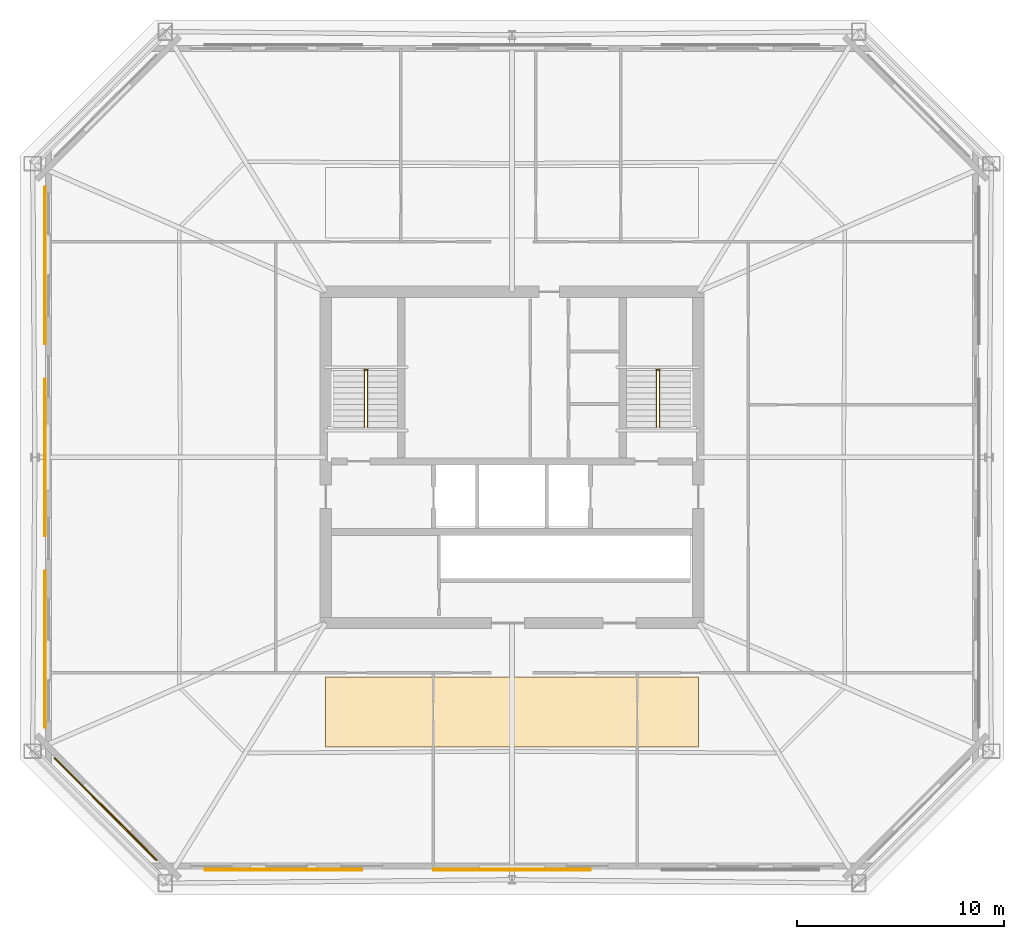
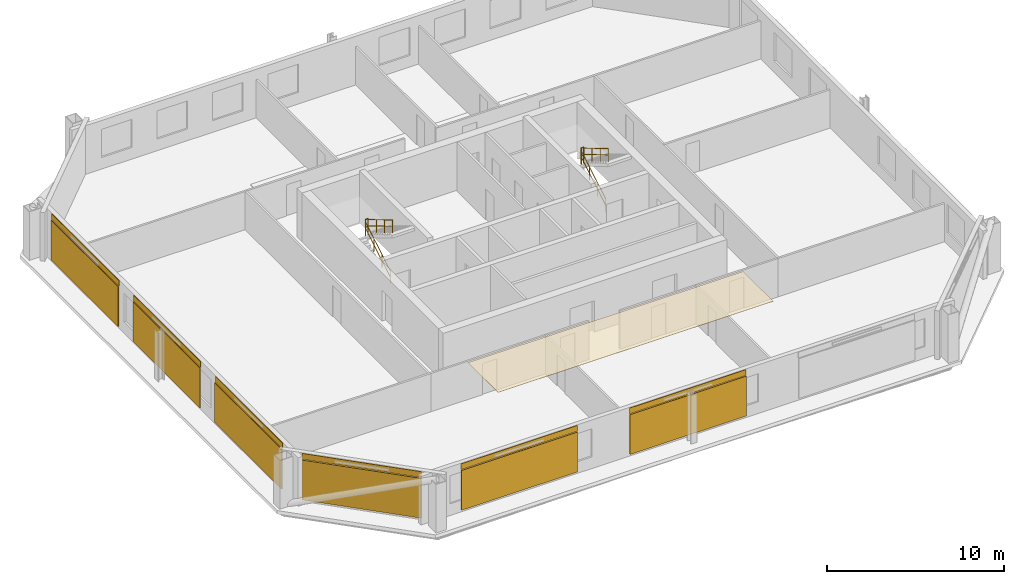
# One storey, part 6 of 7: 7 coverings, 6 railings, 6 shading devices.
"""IFC4 building model written with IfcOpenShell, lengths in metres."""

from ifc_helpers import new_model, si_unit, direction, frame, origin, origin_2d, place, context, subcontext, project, spatial, polyline, rectangle, circle, outline, extrude, material, layer, layer_set, type_object, element, save


model = new_model("IFC4")

# Units and contexts
model_context = context("Model", 3, precision=1e-05, world=origin(), true_north=direction((0.0, 1.0)))
body_context = subcontext(model_context, "Body", "Model", "MODEL_VIEW")
ifc_project = project(units=[si_unit("LENGTHUNIT", "METRE"), si_unit("AREAUNIT", "SQUARE_METRE"), si_unit("VOLUMEUNIT", "CUBIC_METRE"), si_unit("PLANEANGLEUNIT", "RADIAN"), si_unit("MASSUNIT", "GRAM", prefix="KILO")], contexts=[model_context])

# Site, building, storey
site_placement = place(None, origin())
site = spatial("IfcSite", under=ifc_project, at=site_placement, CompositionType="ELEMENT")
building_placement = place(site_placement, origin())
building = spatial("IfcBuilding", under=site, at=building_placement, Name="Caelvoria Tower", CompositionType="ELEMENT")
storey_placement = place(building_placement, frame((0.0, 0.0, 177.0)))
storey = spatial("IfcBuildingStorey", under=building, at=storey_placement, Name="L46", CompositionType="ELEMENT", Elevation=177.0)

# Coverings
ifc_material_1 = material(Name="Acoustic Mineral Fibre Tile", Category="gypsum")
ifc_layer_1 = layer(ifc_material_1, 0.02490234375, Name="Acoustic Mineral Fibre Tile")
ifc_layer_set_1 = layer_set([ifc_layer_1], Name="Mineral-Fibre Acoustic Suspended Ceiling 25 - Acoustic Mineral Fibre Tile")
covering_type_1 = type_object("IfcCoveringType", Name="Mineral-Fibre Acoustic Suspended Ceiling 25", PredefinedType="CEILING", material=ifc_layer_set_1)
covering_1_placement = place(storey_placement, frame((0.0, 0.0, 2.635009765625)))
element("IfcCovering", 1, at=covering_1_placement, inside=storey, type_object=covering_type_1, Name="Suspended Acoustic Ceiling L46", PredefinedType="CEILING", context=body_context, shape_type="SweptSolid", body=[
    extrude(outline(polyline([(37.0, 18.0), (55.0, 18.0), (55.0, 21.39990234375), (37.0, 21.39990234375), (37.0, 18.0)])), origin(), (0.0, 0.0, 1.0), 0.02490234375),
])
ifc_material_2 = material(Name="Perforated Architectural Bronze Cladding Screen", Category="bronze")
ifc_layer_2 = layer(ifc_material_2, 0.0400390625, Name="Perforated Architectural Bronze Cladding Screen")
ifc_layer_set_2 = layer_set([ifc_layer_2], Name="Perforated Bronze Louvre Cladding Band 40 - Perforated Architectural Bronze Cladding Screen")
covering_type_2 = type_object("IfcCoveringType", Name="Perforated Bronze Louvre Cladding Band 40", PredefinedType="CLADDING", material=ifc_layer_set_2)
for number, where, z_axis, x_axis, name in (
    (2, (34.973388671875, 12.10791015625, 2.93994140625), (0.0, 0.0, 1.0), (1.0, 0.0, 0.0), "Perforated Bronze Screen Band L46-E0-00"),
    (3, (46.0, 12.10791015625, 2.93994140625), (0.0, 0.0, 1.0), (1.0, 0.0, 0.0), "Perforated Bronze Screen Band L46-E0-01"),
    (4, (23.468017578125, 41.2666015625, 2.93994140625), (0.0, 0.0, 1.0), (0.0, -1.0, 0.0), "Perforated Bronze Screen Band L46-E6-00"),
    (5, (23.468017578125, 32.0, 2.93994140625), (0.0, 0.0, 1.0), (0.0, -1.0, 0.0), "Perforated Bronze Screen Band L46-E6-01"),
    (6, (23.468017578125, 22.7333984375, 2.93994140625), (0.0, 0.0, 1.0), (0.0, -1.0, 0.0), "Perforated Bronze Screen Band L46-E6-02"),
):
    element("IfcCovering", number, at=place(storey_placement, frame(where, z_axis=z_axis, x_axis=x_axis)), inside=storey, type_object=covering_type_2, Name=name, PredefinedType="CLADDING", context=body_context, shape_type="SweptSolid", body=[
        extrude(rectangle(XDim=7.60009765625, YDim=0.0400390625, at=origin_2d()), origin(), (0.0, 0.0, 1.0), 0.39990234375),
    ])
covering_2_placement = place(storey_placement, frame((26.38818359375, 15.0283203125, 2.93994140625), z_axis=(0.0, 0.0, 1.0), x_axis=(0.707106781187, -0.707106781187, 0.0)))
element("IfcCovering", 7, at=covering_2_placement, inside=storey, type_object=covering_type_2, Name="Perforated Bronze Screen Band L46-E7-00", PredefinedType="CLADDING", context=body_context, shape_type="SweptSolid", body=[
    extrude(rectangle(XDim=7.00244140625, YDim=0.0400390625, at=origin_2d()), origin(), (0.0, 0.0, 1.0), 0.39990234375),
])

# Shading devices
ifc_material_3 = material(Name="Perforated Architectural Bronze Alloy Panel", Category="bronze")
ifc_layer_3 = layer(ifc_material_3, 0.044921875, Name="Perforated Architectural Bronze Alloy Panel")
ifc_layer_set_3 = layer_set([ifc_layer_3], Name="Perforated Bronze Solar Screen Panel SCREEN - Perforated Architectural Bronze Alloy Panel")
shading_device_type = type_object("IfcShadingDeviceType", Name="Perforated Bronze Solar Screen Panel SCREEN", PredefinedType="USERDEFINED", material=ifc_layer_set_3)
for number, where, z_axis, x_axis, name in (
    (8, (34.973388671875, 12.06494140625, 0.159912109375), (0.0, 0.0, 1.0), (1.0, 0.0, 0.0), "Perforated Bronze Solar Screen L46-E0-00"),
    (9, (46.0, 12.06494140625, 0.159912109375), (0.0, 0.0, 1.0), (1.0, 0.0, 0.0), "Perforated Bronze Solar Screen L46-E0-01"),
    (10, (23.425048828125, 41.2666015625, 0.159912109375), (0.0, 0.0, 1.0), (0.0, -1.0, 0.0), "Perforated Bronze Solar Screen L46-E6-00"),
    (11, (23.425048828125, 32.0, 0.159912109375), (0.0, 0.0, 1.0), (0.0, -1.0, 0.0), "Perforated Bronze Solar Screen L46-E6-01"),
    (12, (23.425048828125, 22.7333984375, 0.159912109375), (0.0, 0.0, 1.0), (0.0, -1.0, 0.0), "Perforated Bronze Solar Screen L46-E6-02"),
):
    element("IfcShadingDevice", number, at=place(storey_placement, frame(where, z_axis=z_axis, x_axis=x_axis)), inside=storey, type_object=shading_device_type, Name=name, ObjectType="SCREEN", PredefinedType="USERDEFINED", context=body_context, shape_type="SweptSolid", body=[
        extrude(rectangle(XDim=7.60009765625, YDim=0.044921875, at=origin_2d()), origin(), (0.0, 0.0, 1.0), 2.75),
    ])
shading_device_placement = place(storey_placement, frame((26.35791015625, 14.997802734375, 0.159912109375), z_axis=(0.0, 0.0, 1.0), x_axis=(0.707106781187, -0.707106781187, 0.0)))
element("IfcShadingDevice", 13, at=shading_device_placement, inside=storey, type_object=shading_device_type, Name="Perforated Bronze Solar Screen L46-E7-00", ObjectType="SCREEN", PredefinedType="USERDEFINED", context=body_context, shape_type="SweptSolid", body=[
    extrude(rectangle(XDim=7.00244140625, YDim=0.044921875, at=origin_2d()), origin(), (0.0, 0.0, 1.0), 2.75),
])

# Railings
ifc_material_4 = material(Name="Brushed Stainless Steel Tube", Category="steel")
railing_type_1 = type_object("IfcRailingType", Name="Stair Tubular Stainless Handrail 920", PredefinedType="HANDRAIL", material=ifc_material_4)
railing_1_placement = place(storey_placement, frame((38.8701171875, 33.449951171875, 0.16357421875)))
element("IfcRailing", 14, at=railing_1_placement, inside=storey, type_object=railing_type_1, Name="ST-01 Flight 1 Handrail L46", PredefinedType="HANDRAIL", context=body_context, shape_type="SweptSolid", body=[
    extrude(circle(Radius=0.02392578125, at=origin_2d()), frame((0.0, 0.0, 0.89599609375), z_axis=(0.0, 0.859351957796, 0.511384603436), x_axis=(-1.0, 0.0, 0.0)), (0.0, 0.0, 1.0), 3.2001953125),
    extrude(circle(Radius=0.02392578125, at=origin_2d()), frame((0.0, 0.0, 0.4599609375), z_axis=(0.0, 0.859351957796, 0.511384603436), x_axis=(-1.0, 0.0, 0.0)), (0.0, 0.0, 1.0), 3.2001953125),
    extrude(circle(Radius=0.02099609375, at=origin_2d()), origin(), (0.0, 0.0, 1.0), 0.871826171875),
    extrude(circle(Radius=0.02099609375, at=origin_2d()), frame((0.0, 0.916748046875, 0.54541015625)), (0.0, 0.0, 1.0), 0.871826171875),
    extrude(circle(Radius=0.02099609375, at=origin_2d()), frame((0.0, 1.833251953125, 1.091064453125)), (0.0, 0.0, 1.0), 0.871826171875),
    extrude(circle(Radius=0.02099609375, at=origin_2d()), frame((0.0, 2.75, 1.636474609375)), (0.0, 0.0, 1.0), 0.871826171875),
])
railing_2_placement = place(storey_placement, frame((39.030029296875, 36.199951171875, 1.963623046875)))
element("IfcRailing", 15, at=railing_2_placement, inside=storey, type_object=railing_type_1, Name="ST-01 Flight 2 Handrail L46", PredefinedType="HANDRAIL", context=body_context, shape_type="SweptSolid", body=[
    extrude(circle(Radius=0.02392578125, at=origin_2d()), frame((0.0, 0.0, 0.89599609375), z_axis=(0.0, -0.859351957796, 0.511384603436), x_axis=(1.0, 0.0, 0.0)), (0.0, 0.0, 1.0), 3.2001953125),
    extrude(circle(Radius=0.02392578125, at=origin_2d()), frame((0.0, 0.0, 0.4599609375), z_axis=(0.0, -0.859351957796, 0.511384603436), x_axis=(1.0, 0.0, 0.0)), (0.0, 0.0, 1.0), 3.2001953125),
    extrude(circle(Radius=0.02099609375, at=origin_2d()), origin(), (0.0, 0.0, 1.0), 0.871826171875),
    extrude(circle(Radius=0.02099609375, at=origin_2d()), frame((0.0, -0.916748046875, 0.54541015625)), (0.0, 0.0, 1.0), 0.871826171875),
    extrude(circle(Radius=0.02099609375, at=origin_2d()), frame((0.0, -1.833251953125, 1.091064453125)), (0.0, 0.0, 1.0), 0.871826171875),
    extrude(circle(Radius=0.02099609375, at=origin_2d()), frame((0.0, -2.75, 1.636474609375)), (0.0, 0.0, 1.0), 0.871826171875),
])
railing_3_placement = place(storey_placement, frame((52.969970703125, 33.449951171875, 0.16357421875)))
element("IfcRailing", 16, at=railing_3_placement, inside=storey, type_object=railing_type_1, Name="ST-02 Flight 1 Handrail L46", PredefinedType="HANDRAIL", context=body_context, shape_type="SweptSolid", body=[
    extrude(circle(Radius=0.02392578125, at=origin_2d()), frame((0.0, 0.0, 0.89599609375), z_axis=(0.0, 0.859351957796, 0.511384603436), x_axis=(-1.0, 0.0, 0.0)), (0.0, 0.0, 1.0), 3.2001953125),
    extrude(circle(Radius=0.02392578125, at=origin_2d()), frame((0.0, 0.0, 0.4599609375), z_axis=(0.0, 0.859351957796, 0.511384603436), x_axis=(-1.0, 0.0, 0.0)), (0.0, 0.0, 1.0), 3.2001953125),
    extrude(circle(Radius=0.02099609375, at=origin_2d()), origin(), (0.0, 0.0, 1.0), 0.871826171875),
    extrude(circle(Radius=0.02099609375, at=origin_2d()), frame((0.0, 0.916748046875, 0.54541015625)), (0.0, 0.0, 1.0), 0.871826171875),
    extrude(circle(Radius=0.02099609375, at=origin_2d()), frame((0.0, 1.833251953125, 1.091064453125)), (0.0, 0.0, 1.0), 0.871826171875),
    extrude(circle(Radius=0.02099609375, at=origin_2d()), frame((0.0, 2.75, 1.636474609375)), (0.0, 0.0, 1.0), 0.871826171875),
])
railing_4_placement = place(storey_placement, frame((53.1298828125, 36.199951171875, 1.963623046875)))
element("IfcRailing", 17, at=railing_4_placement, inside=storey, type_object=railing_type_1, Name="ST-02 Flight 2 Handrail L46", PredefinedType="HANDRAIL", context=body_context, shape_type="SweptSolid", body=[
    extrude(circle(Radius=0.02392578125, at=origin_2d()), frame((0.0, 0.0, 0.89599609375), z_axis=(0.0, -0.859351957796, 0.511384603436), x_axis=(1.0, 0.0, 0.0)), (0.0, 0.0, 1.0), 3.2001953125),
    extrude(circle(Radius=0.02392578125, at=origin_2d()), frame((0.0, 0.0, 0.4599609375), z_axis=(0.0, -0.859351957796, 0.511384603436), x_axis=(1.0, 0.0, 0.0)), (0.0, 0.0, 1.0), 3.2001953125),
    extrude(circle(Radius=0.02099609375, at=origin_2d()), origin(), (0.0, 0.0, 1.0), 0.871826171875),
    extrude(circle(Radius=0.02099609375, at=origin_2d()), frame((0.0, -0.916748046875, 0.54541015625)), (0.0, 0.0, 1.0), 0.871826171875),
    extrude(circle(Radius=0.02099609375, at=origin_2d()), frame((0.0, -1.833251953125, 1.091064453125)), (0.0, 0.0, 1.0), 0.871826171875),
    extrude(circle(Radius=0.02099609375, at=origin_2d()), frame((0.0, -2.75, 1.636474609375)), (0.0, 0.0, 1.0), 0.871826171875),
])
ifc_material_5 = material(Name="Brushed Stainless Steel Guardrail", Category="steel")
railing_type_2 = type_object("IfcRailingType", Name="Stair Well and Ramp Guardrail 1120", PredefinedType="GUARDRAIL", material=ifc_material_5)
for number, where, name in (
    (18, (38.8701171875, 36.239990234375, 1.800048828125), "ST-01 Half-Landing Well Guard L46"),
    (19, (52.969970703125, 36.239990234375, 1.800048828125), "ST-02 Half-Landing Well Guard L46"),
):
    element("IfcRailing", number, at=place(storey_placement, frame(where)), inside=storey, type_object=railing_type_2, Name=name, PredefinedType="GUARDRAIL", context=body_context, shape_type="SweptSolid", body=[
        extrude(circle(Radius=0.02392578125, at=origin_2d()), frame((0.0, 0.0, 1.09619140625), z_axis=(1.0, 0.0, 0.0), x_axis=(0.0, 1.0, 0.0)), (0.0, 0.0, 1.0), 0.159912109375),
        extrude(circle(Radius=0.02392578125, at=origin_2d()), frame((0.0, 0.0, 0.56005859375), z_axis=(1.0, 0.0, 0.0), x_axis=(0.0, 1.0, 0.0)), (0.0, 0.0, 1.0), 0.159912109375),
        extrude(circle(Radius=0.02099609375, at=origin_2d()), origin(), (0.0, 0.0, 1.0), 1.072021484375),
        extrude(circle(Radius=0.02099609375, at=origin_2d()), frame((0.159912109375, 0.0, 0.0)), (0.0, 0.0, 1.0), 1.072021484375),
    ])

save(model, "model.ifc")
